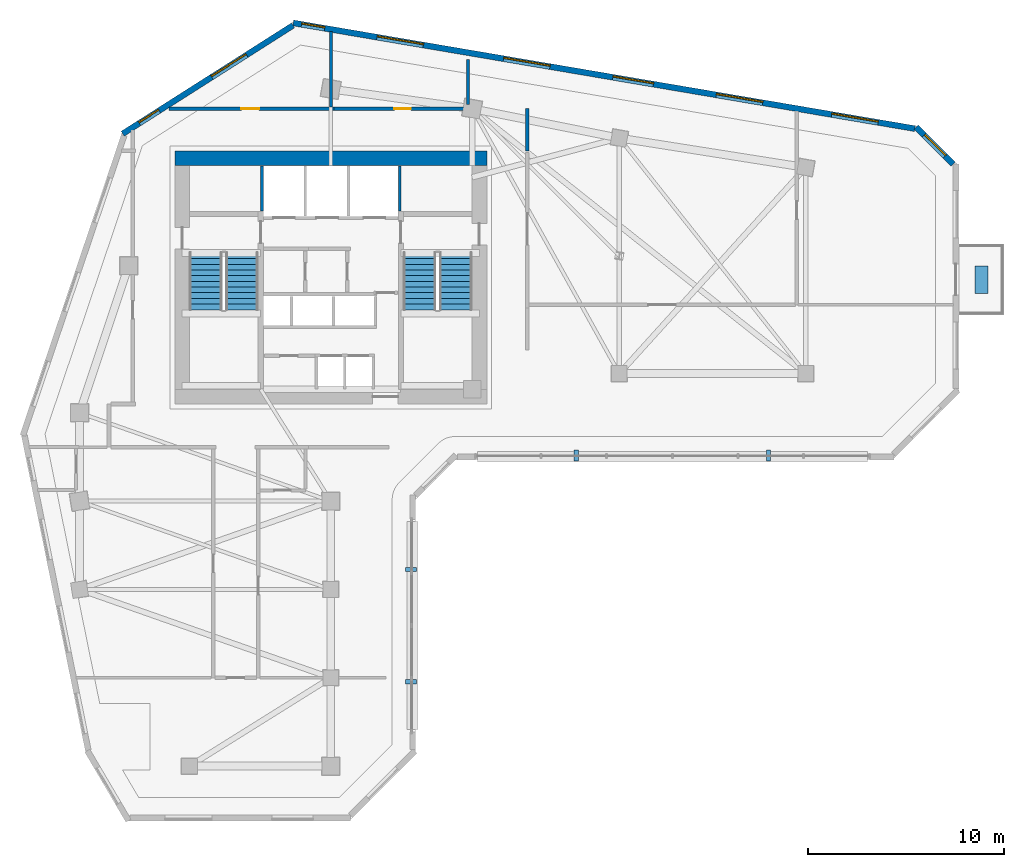
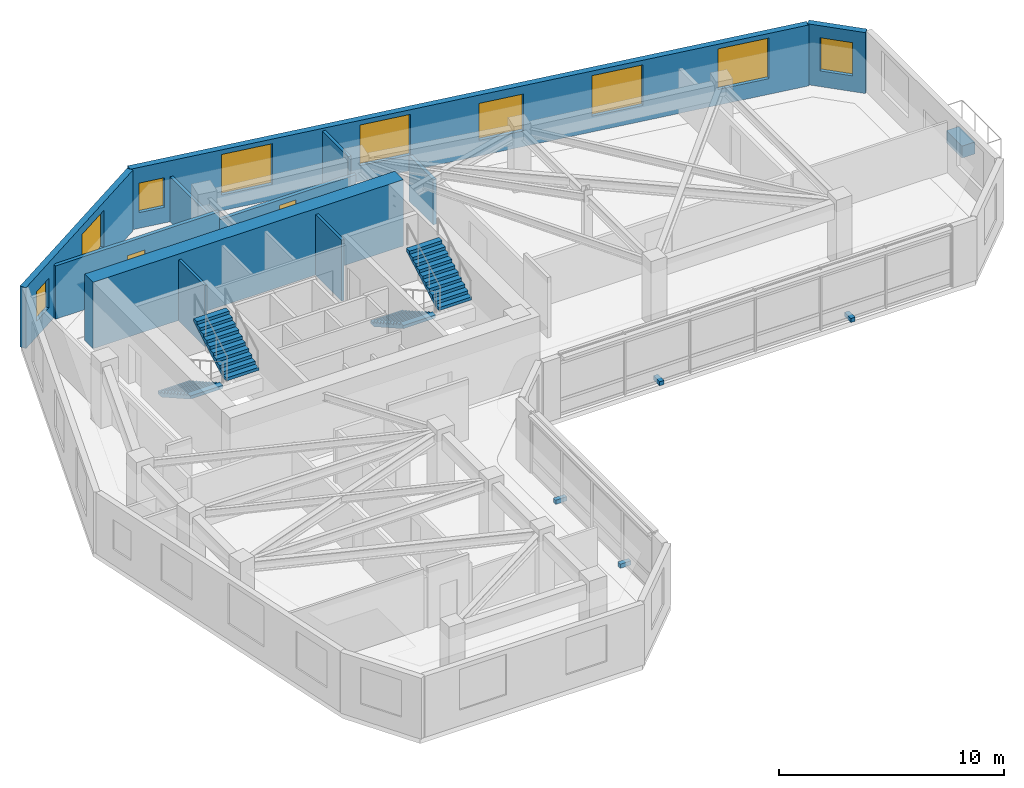
# One storey, part 7 of 10: 11 walls, 9 windows, 5 discrete accessories, 4 stair flights, 2 doors, 11 openings, 2 elements without a shape of their own.
"""IFC4 building model written with IfcOpenShell, lengths in metres."""

from ifc_helpers import new_model, si_unit, direction, frame, frame_2d, origin, origin_2d, place, context, subcontext, project, spatial, polyline, rectangle, outline, extrude, source, transform, mapped, material, layer, layer_set, type_object, element, fill, aggregate, save


model = new_model("IFC4")

# Units and contexts
model_context = context("Model", 3, precision=1e-05, world=origin(), true_north=direction((0.0, 1.0)))
body_context = subcontext(model_context, "Body", "Model", "MODEL_VIEW")
ifc_project = project(units=[si_unit("LENGTHUNIT", "METRE"), si_unit("AREAUNIT", "SQUARE_METRE"), si_unit("VOLUMEUNIT", "CUBIC_METRE"), si_unit("PLANEANGLEUNIT", "RADIAN"), si_unit("MASSUNIT", "GRAM", prefix="KILO")], contexts=[model_context])

# Site, building, storey
site_placement = place(None, origin())
site = spatial("IfcSite", under=ifc_project, at=site_placement, CompositionType="ELEMENT")
building_placement = place(site_placement, origin())
building = spatial("IfcBuilding", under=site, at=building_placement, Name="Calvemar Wedge Station Tower", CompositionType="ELEMENT")
storey_placement = place(building_placement, frame((0.0, 0.0, 168.199951171875)))
storey = spatial("IfcBuildingStorey", under=building, at=storey_placement, Name="L42", CompositionType="ELEMENT", Elevation=168.199951171875)

# Wall
ifc_material_1 = material(Name="Concrete C70", Category="concrete")
ifc_layer_1 = layer(ifc_material_1, 0.75)
ifc_layer_set_1 = layer_set([ifc_layer_1], Name="Concrete C70")
wall_type_1 = type_object("IfcWallType", Name="SW-CORE-750", PredefinedType="SHEAR", material=ifc_layer_set_1)
wall_1_placement = place(storey_placement, frame((15.85009765625, 45.97509765625, 0.0), z_axis=(0.0, 0.0, 1.0), x_axis=(1.0, 0.0, 0.0)))
element("IfcWall", 1, at=wall_1_placement, inside=storey, type_object=wall_type_1, Name="Storey L42 Core Shear Wall N", PredefinedType="SHEAR", context=body_context, shape_type="SweptSolid", body=[
    extrude(rectangle(XDim=15.89990234375, YDim=0.75, at=frame_2d((7.949951171875, 0.0))), origin(), (0.0, 0.0, 1.0), 3.60009765625),
])

# Wall, opening, door
ifc_material_2 = material(Name="Double-stud fire-rated corridor partition")
ifc_layer_2 = layer(ifc_material_2, 0.179931640625)
ifc_layer_set_2 = layer_set([ifc_layer_2], Name="Double-stud fire-rated corridor partition")
wall_type_2 = type_object("IfcWallType", Name="W-CORR-180", PredefinedType="PARTITIONING", material=ifc_layer_set_2)
wall_2_placement = place(storey_placement, frame((15.552490234375, 48.5, 0.0), z_axis=(0.0, 0.0, 1.0), x_axis=(1.0, 0.0, 0.0)))
wall_2 = element("IfcWall", 2, at=wall_2_placement, inside=storey, type_object=wall_type_2, Name="Storey L42 Interior Partition WL-L42-014", PredefinedType="PARTITIONING", context=body_context, shape_type="SweptSolid", body=[
    extrude(rectangle(XDim=8.407470703125, YDim=0.179931640625, at=frame_2d((4.20361328125, 0.0))), origin(), (0.0, 0.0, 1.0), 2.885009765625),
])
shared_shape_1 = source(origin(), body_context, "Body", "SweptSolid", [
    extrude(rectangle(XDim=0.89990234375, YDim=2.14990234375, at=frame_2d((0.449951171875, 1.074951171875))), frame((0.0, 0.10009765625, 0.0), z_axis=(0.0, -1.0, 0.0), x_axis=(1.0, 0.0, 0.0)), (0.0, 0.0, 1.0), 0.199951171875),
])
opening_1_placement = place(wall_2_placement, frame((3.69287109375, 0.0, 0.0)))
opening_1 = element("IfcOpeningElement", 3, at=opening_1_placement, cuts=wall_2, Name="Opening D-01", PredefinedType="OPENING", context=body_context, shape_type="MappedRepresentation", body=[
    mapped(shared_shape_1, transform((0.0, 0.0, 0.0), scale=1.0)),
])
ifc_material_3 = material(Name="Architectural hardwood acoustic swing door", Category="wood")
door_type_1 = type_object("IfcDoorType", Name="DR-INT-900", OperationType="NOTDEFINED", PredefinedType="DOOR", material=ifc_material_3)
shared_shape_2 = source(origin(), body_context, "Body", "SweptSolid", [
    extrude(rectangle(XDim=0.89990234375, YDim=2.14990234375, at=frame_2d((0.449951171875, 1.074951171875))), frame((0.0, 0.02490234375, 0.0), z_axis=(0.0, -1.0, 0.0), x_axis=(1.0, 0.0, 0.0)), (0.0, 0.0, 1.0), 0.050048828125),
])
door_1_placement = place(opening_1_placement, origin())
door_1 = element("IfcDoor", 4, at=door_1_placement, inside=storey, type_object=door_type_1, Name="L42 Business Centre Door", OperationType="SINGLE_SWING_RIGHT", OverallHeight=2.14990234375, OverallWidth=0.89990234375, PredefinedType="DOOR", context=body_context, shape_type="MappedRepresentation", body=[
    mapped(shared_shape_2, transform((0.0, 0.0, 0.0), scale=1.0)),
])
fill(opening_1, door_1)

wall_3_placement = place(storey_placement, frame((23.9619140625, 48.5, 0.0), z_axis=(0.0, 0.0, 1.0), x_axis=(1.0, 0.0, 0.0)))
wall_3 = element("IfcWall", 5, at=wall_3_placement, inside=storey, type_object=wall_type_2, Name="Storey L42 Interior Partition WL-L42-015", PredefinedType="PARTITIONING", context=body_context, shape_type="SweptSolid", body=[
    extrude(rectangle(XDim=6.998046875, YDim=0.179931640625, at=frame_2d((3.4990234375, 0.0))), origin(), (0.0, 0.0, 1.0), 2.442138671875),
])
shared_shape_3 = source(origin(), body_context, "Body", "SweptSolid", [
    extrude(rectangle(XDim=0.85009765625, YDim=2.14990234375, at=frame_2d((0.425048828125, 1.074951171875))), frame((0.0, 0.10009765625, 0.0), z_axis=(0.0, -1.0, 0.0), x_axis=(1.0, 0.0, 0.0)), (0.0, 0.0, 1.0), 0.199951171875),
])
opening_2_placement = place(wall_3_placement, frame((3.073974609375, 0.0, 0.0)))
opening_2 = element("IfcOpeningElement", 6, at=opening_2_placement, cuts=wall_3, Name="Opening D-02", PredefinedType="OPENING", context=body_context, shape_type="MappedRepresentation", body=[
    mapped(shared_shape_3, transform((0.0, 0.0, 0.0), scale=1.0)),
])
ifc_material_4 = material(Name="Moisture-sealed bathroom hardwood swing door", Category="wood")
door_type_2 = type_object("IfcDoorType", Name="DR-WET-850", OperationType="NOTDEFINED", PredefinedType="DOOR", material=ifc_material_4)
shared_shape_4 = source(origin(), body_context, "Body", "SweptSolid", [
    extrude(rectangle(XDim=0.85009765625, YDim=2.14990234375, at=frame_2d((0.425048828125, 1.074951171875))), frame((0.0, 0.02490234375, 0.0), z_axis=(0.0, -1.0, 0.0), x_axis=(1.0, 0.0, 0.0)), (0.0, 0.0, 1.0), 0.050048828125),
])
door_2_placement = place(opening_2_placement, origin())
door_2 = element("IfcDoor", 7, at=door_2_placement, inside=storey, type_object=door_type_2, Name="L42 Accessible WC Door", OperationType="SINGLE_SWING_LEFT", OverallHeight=2.14990234375, OverallWidth=0.85009765625, PredefinedType="DOOR", context=body_context, shape_type="MappedRepresentation", body=[
    mapped(shared_shape_4, transform((0.0, 0.0, 0.0), scale=1.0)),
])
fill(opening_2, door_2)

# Wall
wall_4_placement = place(storey_placement, frame((33.800048828125, 48.5, 0.0), z_axis=(0.0, 0.0, 1.0), x_axis=(0.0, -1.0, 0.0)))
element("IfcWall", 8, at=wall_4_placement, inside=storey, type_object=wall_type_2, Name="Storey L42 Interior Partition WL-L42-016", PredefinedType="PARTITIONING", context=body_context, shape_type="SweptSolid", body=[
    extrude(rectangle(XDim=2.14990234375, YDim=0.179931640625, at=frame_2d((1.074951171875, 0.0))), origin(), (0.0, 0.0, 1.0), 2.442138671875),
])

# Wall, opening, window
ifc_material_5 = material(Name="Precast concrete C45", Category="concrete")
ifc_layer_3 = layer(ifc_material_5, 0.300048828125)
ifc_layer_set_3 = layer_set([ifc_layer_3], Name="Precast concrete C45")
wall_type_3 = type_object("IfcWallType", Name="W-EXT-GFRC-300", PredefinedType="SOLIDWALL", material=ifc_layer_set_3)
wall_5_placement = place(storey_placement, frame((55.511962890625, 45.66796875, 0.0), z_axis=(0.0, 0.0, 1.0), x_axis=(-0.707152443695, 0.707061115729, 0.0)))
wall_5 = element("IfcWall", 9, at=wall_5_placement, inside=storey, type_object=wall_type_3, Name="Storey L42 Bronze GFRC Exterior Wall 9", PredefinedType="SOLIDWALL", context=body_context, shape_type="SweptSolid", body=[
    extrude(rectangle(XDim=2.67333984375, YDim=0.300048828125, at=frame_2d((1.336669921875, 0.0))), origin(), (0.0, 0.0, 1.0), 3.300048828125),
])
shared_shape_5 = source(origin(), body_context, "Body", "SweptSolid", [
    extrude(rectangle(XDim=1.5, YDim=1.800048828125, at=frame_2d((0.75, 0.89990234375))), frame((0.0, 0.16015625, 0.0), z_axis=(0.0, -1.0, 0.0), x_axis=(1.0, 0.0, 0.0)), (0.0, 0.0, 1.0), 0.320068359375),
])
opening_3_placement = place(wall_5_placement, frame((0.5869140625, 0.0, 0.85009765625)))
opening_3 = element("IfcOpeningElement", 10, at=opening_3_placement, cuts=wall_5, Name="Opening W3", PredefinedType="OPENING", context=body_context, shape_type="MappedRepresentation", body=[
    mapped(shared_shape_5, transform((0.0, 0.0, 0.0), scale=1.0)),
])
ifc_material_6 = material(Name="Low-E laminated insulated glass", Category="glass")
window_type_1 = type_object("IfcWindowType", Name="WIN-EXT-3", PartitioningType="SINGLE_PANEL", PredefinedType="WINDOW", material=ifc_material_6)
shared_shape_6 = source(origin(), body_context, "Body", "SweptSolid", [
    extrude(rectangle(XDim=1.5, YDim=1.800048828125, at=frame_2d((0.75, 0.89990234375))), frame((0.0, -0.014892578125, 0.0), z_axis=(0.0, -1.0, 0.0), x_axis=(1.0, 0.0, 0.0)), (0.0, 0.0, 1.0), 0.06005859375),
])
window_1_placement = place(opening_3_placement, origin())
window_1 = element("IfcWindow", 11, at=window_1_placement, inside=storey, type_object=window_type_1, Name="Storey L42 Recessed Window 9.1", OverallHeight=1.800048828125, OverallWidth=1.5, PartitioningType="SINGLE_PANEL", PredefinedType="WINDOW", context=body_context, shape_type="MappedRepresentation", body=[
    mapped(shared_shape_6, transform((0.0, 0.0, 0.0), scale=1.0)),
])
fill(opening_3, window_1)

# Wall, openings, windows
wall_6_placement = place(storey_placement, frame((53.56103515625, 47.48046875, 0.0), z_axis=(0.0, 0.0, 1.0), x_axis=(-0.985845173895, 0.167658262868, 0.0)))
wall_6 = element("IfcWall", 12, at=wall_6_placement, inside=storey, type_object=wall_type_3, Name="Storey L42 Bronze GFRC Exterior Wall 10", PredefinedType="SOLIDWALL", context=body_context, shape_type="SweptSolid", body=[
    extrude(rectangle(XDim=32.132080078125, YDim=0.300048828125, at=frame_2d((16.06591796875, 0.0))), origin(), (0.0, 0.0, 1.0), 3.300048828125),
])
shared_shape_7 = source(origin(), body_context, "Body", "SweptSolid", [
    extrude(rectangle(XDim=2.39990234375, YDim=2.199951171875, at=frame_2d((1.199951171875, 1.10009765625))), frame((0.0, 0.16015625, 0.0), z_axis=(0.0, -1.0, 0.0), x_axis=(1.0, 0.0, 0.0)), (0.0, 0.0, 1.0), 0.320068359375),
])
opening_4_placement = place(wall_6_placement, frame((1.89599609375, 0.0, 0.85009765625)))
opening_4 = element("IfcOpeningElement", 13, at=opening_4_placement, cuts=wall_6, Name="Opening W1", PredefinedType="OPENING", context=body_context, shape_type="MappedRepresentation", body=[
    mapped(shared_shape_7, transform((0.0, 0.0, 0.0), scale=1.0)),
])
opening_5_placement = place(wall_6_placement, frame((7.863037109375, 0.0, 0.85009765625)))
opening_5 = element("IfcOpeningElement", 14, at=opening_5_placement, cuts=wall_6, Name="Opening W1", PredefinedType="OPENING", context=body_context, shape_type="MappedRepresentation", body=[
    mapped(shared_shape_7, transform((0.0, 0.0, 0.0), scale=1.0)),
])
shared_shape_8 = source(origin(), body_context, "Body", "SweptSolid", [
    extrude(rectangle(XDim=2.10009765625, YDim=2.0, at=frame_2d((1.050048828125, 1.0))), frame((0.0, 0.16015625, 0.0), z_axis=(0.0, -1.0, 0.0), x_axis=(1.0, 0.0, 0.0)), (0.0, 0.0, 1.0), 0.320068359375),
])
opening_6_placement = place(wall_6_placement, frame((13.511962890625, 0.0, 0.85009765625)))
opening_6 = element("IfcOpeningElement", 15, at=opening_6_placement, cuts=wall_6, Name="Opening W4", PredefinedType="OPENING", context=body_context, shape_type="MappedRepresentation", body=[
    mapped(shared_shape_8, transform((0.0, 0.0, 0.0), scale=1.0)),
])
opening_7_placement = place(wall_6_placement, frame((18.861083984375, 0.0, 0.85009765625)))
opening_7 = element("IfcOpeningElement", 16, at=opening_7_placement, cuts=wall_6, Name="Opening W1", PredefinedType="OPENING", context=body_context, shape_type="MappedRepresentation", body=[
    mapped(shared_shape_7, transform((0.0, 0.0, 0.0), scale=1.0)),
])
opening_8_placement = place(wall_6_placement, frame((25.39990234375, 0.0, 0.85009765625)))
opening_8 = element("IfcOpeningElement", 17, at=opening_8_placement, cuts=wall_6, Name="Opening W1", PredefinedType="OPENING", context=body_context, shape_type="MappedRepresentation", body=[
    mapped(shared_shape_7, transform((0.0, 0.0, 0.0), scale=1.0)),
])
shared_shape_9 = source(origin(), body_context, "Body", "SweptSolid", [
    extrude(rectangle(XDim=1.199951171875, YDim=1.60009765625, at=frame_2d((0.60009765625, 0.800048828125))), frame((0.0, 0.16015625, 0.0), z_axis=(0.0, -1.0, 0.0), x_axis=(1.0, 0.0, 0.0)), (0.0, 0.0, 1.0), 0.320068359375),
])
opening_9_placement = place(wall_6_placement, frame((30.5, 0.0, 0.85009765625)))
opening_9 = element("IfcOpeningElement", 18, at=opening_9_placement, cuts=wall_6, Name="Opening W5", PredefinedType="OPENING", context=body_context, shape_type="MappedRepresentation", body=[
    mapped(shared_shape_9, transform((0.0, 0.0, 0.0), scale=1.0)),
])
window_type_2 = type_object("IfcWindowType", Name="WIN-EXT-4", PartitioningType="SINGLE_PANEL", PredefinedType="WINDOW", material=ifc_material_6)
shared_shape_10 = source(origin(), body_context, "Body", "SweptSolid", [
    extrude(rectangle(XDim=2.10009765625, YDim=2.0, at=frame_2d((1.050048828125, 1.0))), frame((0.0, -0.014892578125, 0.0), z_axis=(0.0, -1.0, 0.0), x_axis=(1.0, 0.0, 0.0)), (0.0, 0.0, 1.0), 0.06005859375),
])
window_2_placement = place(opening_6_placement, origin())
window_2 = element("IfcWindow", 19, at=window_2_placement, inside=storey, type_object=window_type_2, Name="Storey L42 Recessed Window 10.3", OverallHeight=2.0, OverallWidth=2.10009765625, PartitioningType="SINGLE_PANEL", PredefinedType="WINDOW", context=body_context, shape_type="MappedRepresentation", body=[
    mapped(shared_shape_10, transform((0.0, 0.0, 0.0), scale=1.0)),
])
fill(opening_6, window_2)
window_type_3 = type_object("IfcWindowType", Name="WIN-EXT-1", PartitioningType="SINGLE_PANEL", PredefinedType="WINDOW", material=ifc_material_6)
shared_shape_11 = source(origin(), body_context, "Body", "SweptSolid", [
    extrude(rectangle(XDim=2.39990234375, YDim=2.199951171875, at=frame_2d((1.199951171875, 1.10009765625))), frame((0.0, -0.014892578125, 0.0), z_axis=(0.0, -1.0, 0.0), x_axis=(1.0, 0.0, 0.0)), (0.0, 0.0, 1.0), 0.06005859375),
])
window_3_placement = place(opening_4_placement, origin())
window_3 = element("IfcWindow", 20, at=window_3_placement, inside=storey, type_object=window_type_3, Name="Storey L42 Recessed Window 10.1", OverallHeight=2.199951171875, OverallWidth=2.39990234375, PartitioningType="SINGLE_PANEL", PredefinedType="WINDOW", context=body_context, shape_type="MappedRepresentation", body=[
    mapped(shared_shape_11, transform((0.0, 0.0, 0.0), scale=1.0)),
])
fill(opening_4, window_3)
window_4_placement = place(opening_5_placement, origin())
window_4 = element("IfcWindow", 21, at=window_4_placement, inside=storey, type_object=window_type_3, Name="Storey L42 Recessed Window 10.2", OverallHeight=2.199951171875, OverallWidth=2.39990234375, PartitioningType="SINGLE_PANEL", PredefinedType="WINDOW", context=body_context, shape_type="MappedRepresentation", body=[
    mapped(shared_shape_11, transform((0.0, 0.0, 0.0), scale=1.0)),
])
fill(opening_5, window_4)
window_5_placement = place(opening_7_placement, origin())
window_5 = element("IfcWindow", 22, at=window_5_placement, inside=storey, type_object=window_type_3, Name="Storey L42 Recessed Window 10.4", OverallHeight=2.199951171875, OverallWidth=2.39990234375, PartitioningType="SINGLE_PANEL", PredefinedType="WINDOW", context=body_context, shape_type="MappedRepresentation", body=[
    mapped(shared_shape_11, transform((0.0, 0.0, 0.0), scale=1.0)),
])
fill(opening_7, window_5)
window_6_placement = place(opening_8_placement, origin())
window_6 = element("IfcWindow", 23, at=window_6_placement, inside=storey, type_object=window_type_3, Name="Storey L42 Recessed Window 10.5", OverallHeight=2.199951171875, OverallWidth=2.39990234375, PartitioningType="SINGLE_PANEL", PredefinedType="WINDOW", context=body_context, shape_type="MappedRepresentation", body=[
    mapped(shared_shape_11, transform((0.0, 0.0, 0.0), scale=1.0)),
])
fill(opening_8, window_6)
window_type_4 = type_object("IfcWindowType", Name="WIN-EXT-5", PartitioningType="SINGLE_PANEL", PredefinedType="WINDOW", material=ifc_material_6)
shared_shape_12 = source(origin(), body_context, "Body", "SweptSolid", [
    extrude(rectangle(XDim=1.199951171875, YDim=1.60009765625, at=frame_2d((0.60009765625, 0.800048828125))), frame((0.0, -0.014892578125, 0.0), z_axis=(0.0, -1.0, 0.0), x_axis=(1.0, 0.0, 0.0)), (0.0, 0.0, 1.0), 0.06005859375),
])
window_7_placement = place(opening_9_placement, origin())
window_7 = element("IfcWindow", 24, at=window_7_placement, inside=storey, type_object=window_type_4, Name="Storey L42 Recessed Window 10.6", OverallHeight=1.60009765625, OverallWidth=1.199951171875, PartitioningType="SINGLE_PANEL", PredefinedType="WINDOW", context=body_context, shape_type="MappedRepresentation", body=[
    mapped(shared_shape_12, transform((0.0, 0.0, 0.0), scale=1.0)),
])
fill(opening_9, window_7)

wall_7_placement = place(storey_placement, frame((21.874755859375, 52.742431640625, 0.0), z_axis=(0.0, 0.0, 1.0), x_axis=(-0.843662465249, -0.536873956092, 0.0)))
wall_7 = element("IfcWall", 25, at=wall_7_placement, inside=storey, type_object=wall_type_3, Name="Storey L42 Bronze GFRC Exterior Wall 11", PredefinedType="SOLIDWALL", context=body_context, shape_type="SweptSolid", body=[
    extrude(rectangle(XDim=10.283935546875, YDim=0.300048828125, at=frame_2d((5.14208984375, 0.0))), origin(), (0.0, 0.0, 1.0), 3.300048828125),
])
opening_10_placement = place(wall_7_placement, frame((2.805908203125, 0.0, 0.85009765625)))
opening_10 = element("IfcOpeningElement", 26, at=opening_10_placement, cuts=wall_7, Name="Opening W4", PredefinedType="OPENING", context=body_context, shape_type="MappedRepresentation", body=[
    mapped(shared_shape_8, transform((0.0, 0.0, 0.0), scale=1.0)),
])
opening_11_placement = place(wall_7_placement, frame((8.0869140625, 0.0, 0.85009765625)))
opening_11 = element("IfcOpeningElement", 27, at=opening_11_placement, cuts=wall_7, Name="Opening W5", PredefinedType="OPENING", context=body_context, shape_type="MappedRepresentation", body=[
    mapped(shared_shape_9, transform((0.0, 0.0, 0.0), scale=1.0)),
])
window_8_placement = place(opening_10_placement, origin())
window_8 = element("IfcWindow", 28, at=window_8_placement, inside=storey, type_object=window_type_2, Name="Storey L42 Recessed Window 11.1", OverallHeight=2.0, OverallWidth=2.10009765625, PartitioningType="SINGLE_PANEL", PredefinedType="WINDOW", context=body_context, shape_type="MappedRepresentation", body=[
    mapped(shared_shape_10, transform((0.0, 0.0, 0.0), scale=1.0)),
])
fill(opening_10, window_8)
window_9_placement = place(opening_11_placement, origin())
window_9 = element("IfcWindow", 29, at=window_9_placement, inside=storey, type_object=window_type_4, Name="Storey L42 Recessed Window 11.2", OverallHeight=1.60009765625, OverallWidth=1.199951171875, PartitioningType="SINGLE_PANEL", PredefinedType="WINDOW", context=body_context, shape_type="MappedRepresentation", body=[
    mapped(shared_shape_12, transform((0.0, 0.0, 0.0), scale=1.0)),
])
fill(opening_11, window_9)

# Walls
ifc_material_7 = material(Name="Reinforced concrete blockwork lift shaft wall", Category="masonry")
ifc_layer_4 = layer(ifc_material_7, 0.139892578125)
ifc_layer_set_4 = layer_set([ifc_layer_4], Name="Reinforced concrete blockwork lift shaft wall")
wall_type_4 = type_object("IfcWallType", Name="W-LIFT-160", PredefinedType="SOLIDWALL", material=ifc_layer_set_4)
for number, where, z_axis, x_axis, name in (
    (30, (20.2900390625, 43.280029296875, 0.0), (0.0, 0.0, 1.0), (0.0, 1.0, 0.0), "Storey L42 Firefighting Lift Shaft Enclosure Wall W"),
    (31, (27.31005859375, 43.280029296875, 0.0), (0.0, 0.0, 1.0), (0.0, 1.0, 0.0), "Storey L42 Firefighting Lift Shaft Enclosure Wall E"),
):
    element("IfcWall", number, at=place(storey_placement, frame(where, z_axis=z_axis, x_axis=x_axis)), inside=storey, type_object=wall_type_4, Name=name, PredefinedType="SOLIDWALL", context=body_context, shape_type="SweptSolid", body=[
        extrude(rectangle(XDim=2.300048828125, YDim=0.139892578125, at=frame_2d((1.14990234375, 0.0))), origin(), (0.0, 0.0, 1.0), 3.300048828125),
    ])
ifc_material_8 = material(Name="Moisture-resistant acoustic bathroom partition")
ifc_layer_5 = layer(ifc_material_8, 0.14990234375)
ifc_layer_set_5 = layer_set([ifc_layer_5], Name="Moisture-resistant acoustic bathroom partition")
wall_type_5 = type_object("IfcWallType", Name="W-WET-150", PredefinedType="PARTITIONING", material=ifc_layer_set_5)
wall_8_placement = place(storey_placement, frame((23.800048828125, 52.425048828125, 0.0), z_axis=(0.0, 0.0, 1.0), x_axis=(0.0, -1.0, 0.0)))
element("IfcWall", 32, at=wall_8_placement, inside=storey, type_object=wall_type_5, Name="Storey L42 Interior Partition WL-L42-021", PredefinedType="PARTITIONING", context=body_context, shape_type="SweptSolid", body=[
    extrude(rectangle(XDim=3.8310546875, YDim=0.14990234375, at=frame_2d((1.91552734375, 0.0))), origin(), (0.0, 0.0, 1.0), 2.442138671875),
])
wall_9_placement = place(storey_placement, frame((30.800048828125, 51.011474609375, 0.0), z_axis=(0.0, 0.0, 1.0), x_axis=(0.0, -1.0, 0.0)))
element("IfcWall", 33, at=wall_9_placement, inside=storey, type_object=wall_type_5, Name="Storey L42 Bathroom Enclosure Wall WL-L42-035", PredefinedType="PARTITIONING", context=body_context, shape_type="SweptSolid", body=[
    extrude(rectangle(XDim=2.29150390625, YDim=0.14990234375, at=frame_2d((1.145751953125, 0.0))), origin(), (0.0, 0.0, 1.0), 3.300048828125),
])

# Stair, stair flights
ifc_material_9 = material(Name="Concrete C45", Category="concrete")
stair_type = type_object("IfcStairType", Name="ST-TYPE-3600", PredefinedType="HALF_TURN_STAIR", material=ifc_material_9)
stair_1_placement = place(storey_placement, origin())
stair_1 = element("IfcStair", 34, at=stair_1_placement, inside=storey, type_object=stair_type, Name="L42 Pressurized Core Exit Stair ST-C1", PredefinedType="HALF_TURN_STAIR")
stair_flight_type = type_object("IfcStairFlightType", Name="STF-TYPE-3600", PredefinedType="STRAIGHT", material=ifc_material_9)
stair_flight_1_placement = place(storey_placement, frame((17.429931640625, 41.14990234375, 0.0), z_axis=(0.0, 0.0, 1.0), x_axis=(0.0, -1.0, 0.0)))
stair_flight_1 = element("IfcStairFlight", 35, at=stair_flight_1_placement, type_object=stair_flight_type, Name="ST-C1 flight 1", NumberOfRisers=11, NumberOfTreads=10, PredefinedType="STRAIGHT", RiserHeight=0.163636364, TreadLength=0.29, context=body_context, shape_type="SweptSolid", body=[
    extrude(outline(polyline([(0.0, 0.0), (0.0, 0.16357421875), (0.2900390625, 0.16357421875), (0.2900390625, 0.327392578125), (0.580078125, 0.327392578125), (0.580078125, 0.490966796875), (0.8701171875, 0.490966796875), (0.8701171875, 0.654541015625), (1.159912109375, 0.654541015625), (1.159912109375, 0.818115234375), (1.449951171875, 0.818115234375), (1.449951171875, 0.98193359375), (1.739990234375, 0.98193359375), (1.739990234375, 1.1455078125), (2.030029296875, 1.1455078125), (2.030029296875, 1.30908203125), (2.320068359375, 1.30908203125), (2.320068359375, 1.47265625), (2.610107421875, 1.47265625), (2.610107421875, 1.636474609375), (2.89990234375, 1.636474609375), (2.89990234375, 1.800048828125), (2.89990234375, 1.46435546875), (0.304931640625, 0.0), (0.0, 0.0)])), frame((0.0, 0.830078125, 0.0), z_axis=(0.0, -1.0, 0.0), x_axis=(1.0, 0.0, 0.0)), (0.0, 0.0, 1.0), 1.659912109375),
])
stair_flight_2_placement = place(storey_placement, frame((19.27001953125, 38.25, 1.800048828125), z_axis=(0.0, 0.0, 1.0), x_axis=(0.0, 1.0, 0.0)))
stair_flight_2 = element("IfcStairFlight", 36, at=stair_flight_2_placement, type_object=stair_flight_type, Name="ST-C1 flight 2", NumberOfRisers=11, NumberOfTreads=10, PredefinedType="STRAIGHT", RiserHeight=0.163636364, TreadLength=0.29, context=body_context, shape_type="SweptSolid", body=[
    extrude(outline(polyline([(0.0, 0.0), (0.0, 0.16357421875), (0.2900390625, 0.16357421875), (0.2900390625, 0.327392578125), (0.580078125, 0.327392578125), (0.580078125, 0.490966796875), (0.8701171875, 0.490966796875), (0.8701171875, 0.654541015625), (1.159912109375, 0.654541015625), (1.159912109375, 0.818115234375), (1.449951171875, 0.818115234375), (1.449951171875, 0.98193359375), (1.739990234375, 0.98193359375), (1.739990234375, 1.1455078125), (2.030029296875, 1.1455078125), (2.030029296875, 1.30908203125), (2.320068359375, 1.30908203125), (2.320068359375, 1.47265625), (2.610107421875, 1.47265625), (2.610107421875, 1.636474609375), (2.89990234375, 1.636474609375), (2.89990234375, 1.800048828125), (2.89990234375, 1.46435546875), (0.304931640625, 0.0), (0.0, 0.0)])), frame((0.0, 0.830078125, 0.0), z_axis=(0.0, -1.0, 0.0), x_axis=(1.0, 0.0, 0.0)), (0.0, 0.0, 1.0), 1.659912109375),
])
aggregate(stair_1, [stair_flight_1, stair_flight_2])

stair_2_placement = place(storey_placement, origin())
stair_2 = element("IfcStair", 37, at=stair_2_placement, inside=storey, type_object=stair_type, Name="L42 Pressurized Core Exit Stair ST-C2", PredefinedType="HALF_TURN_STAIR")
stair_flight_3_placement = place(storey_placement, frame((28.330078125, 41.14990234375, 0.0), z_axis=(0.0, 0.0, 1.0), x_axis=(0.0, -1.0, 0.0)))
stair_flight_3 = element("IfcStairFlight", 38, at=stair_flight_3_placement, type_object=stair_flight_type, Name="ST-C2 flight 1", NumberOfRisers=11, NumberOfTreads=10, PredefinedType="STRAIGHT", RiserHeight=0.163636364, TreadLength=0.29, context=body_context, shape_type="SweptSolid", body=[
    extrude(outline(polyline([(0.0, 0.0), (0.0, 0.16357421875), (0.2900390625, 0.16357421875), (0.2900390625, 0.327392578125), (0.580078125, 0.327392578125), (0.580078125, 0.490966796875), (0.8701171875, 0.490966796875), (0.8701171875, 0.654541015625), (1.159912109375, 0.654541015625), (1.159912109375, 0.818115234375), (1.449951171875, 0.818115234375), (1.449951171875, 0.98193359375), (1.739990234375, 0.98193359375), (1.739990234375, 1.1455078125), (2.030029296875, 1.1455078125), (2.030029296875, 1.30908203125), (2.320068359375, 1.30908203125), (2.320068359375, 1.47265625), (2.610107421875, 1.47265625), (2.610107421875, 1.636474609375), (2.89990234375, 1.636474609375), (2.89990234375, 1.800048828125), (2.89990234375, 1.46435546875), (0.304931640625, 0.0), (0.0, 0.0)])), frame((0.0, 0.830078125, 0.0), z_axis=(0.0, -1.0, 0.0), x_axis=(1.0, 0.0, 0.0)), (0.0, 0.0, 1.0), 1.659912109375),
])
stair_flight_4_placement = place(storey_placement, frame((30.169921875, 38.25, 1.800048828125), z_axis=(0.0, 0.0, 1.0), x_axis=(0.0, 1.0, 0.0)))
stair_flight_4 = element("IfcStairFlight", 39, at=stair_flight_4_placement, type_object=stair_flight_type, Name="ST-C2 flight 2", NumberOfRisers=11, NumberOfTreads=10, PredefinedType="STRAIGHT", RiserHeight=0.163636364, TreadLength=0.29, context=body_context, shape_type="SweptSolid", body=[
    extrude(outline(polyline([(0.0, 0.0), (0.0, 0.16357421875), (0.2900390625, 0.16357421875), (0.2900390625, 0.327392578125), (0.580078125, 0.327392578125), (0.580078125, 0.490966796875), (0.8701171875, 0.490966796875), (0.8701171875, 0.654541015625), (1.159912109375, 0.654541015625), (1.159912109375, 0.818115234375), (1.449951171875, 0.818115234375), (1.449951171875, 0.98193359375), (1.739990234375, 0.98193359375), (1.739990234375, 1.1455078125), (2.030029296875, 1.1455078125), (2.030029296875, 1.30908203125), (2.320068359375, 1.30908203125), (2.320068359375, 1.47265625), (2.610107421875, 1.47265625), (2.610107421875, 1.636474609375), (2.89990234375, 1.636474609375), (2.89990234375, 1.800048828125), (2.89990234375, 1.46435546875), (0.304931640625, 0.0), (0.0, 0.0)])), frame((0.0, 0.830078125, 0.0), z_axis=(0.0, -1.0, 0.0), x_axis=(1.0, 0.0, 0.0)), (0.0, 0.0, 1.0), 1.659912109375),
])
aggregate(stair_2, [stair_flight_3, stair_flight_4])

# Discrete accessories
ifc_material_10 = material(Name="Stainless steel AISI 316L", Category="steel")
discrete_accessory_type_1 = type_object("IfcDiscreteAccessoryType", Name="BRK-316L", PredefinedType="BRACKET", material=ifc_material_10)
shared_shape_13 = source(origin(), body_context, "Body", "SweptSolid", [
    extrude(rectangle(XDim=0.219970703125, YDim=0.56005859375, at=origin_2d()), origin(), (0.0, 0.0, 1.0), 0.219970703125),
])
for number, where, z_axis, x_axis, name in (
    (40, (27.89794921875, 19.2998046875, 0.0), (0.0, 0.0, 1.0), (0.0, 1.0, 0.0), "Storey L42 Recessed Facade Stainless Bracket 4.1"),
    (41, (27.89794921875, 25.016357421875, 0.0), (0.0, 0.0, 1.0), (0.0, 1.0, 0.0), "Storey L42 Recessed Facade Stainless Bracket 4.2"),
    (42, (36.302001953125, 30.822021484375, 0.0), (0.0, 0.0, 1.0), (1.0, 0.0, 0.0), "Storey L42 Recessed Facade Stainless Bracket 6.1"),
    (43, (46.101806640625, 30.822021484375, 0.0), (0.0, 0.0, 1.0), (1.0, 0.0, 0.0), "Storey L42 Recessed Facade Stainless Bracket 6.2"),
):
    element("IfcDiscreteAccessory", number, at=place(storey_placement, frame(where, z_axis=z_axis, x_axis=x_axis)), inside=storey, type_object=discrete_accessory_type_1, Name=name, PredefinedType="BRACKET", context=body_context, shape_type="MappedRepresentation", body=[
        mapped(shared_shape_13, transform((0.0, 0.0, 0.0), scale=1.0)),
    ])
discrete_accessory_type_2 = type_object("IfcDiscreteAccessoryType", Name="ACC-PLANTER", PredefinedType="USERDEFINED", material=ifc_material_5)
shared_shape_14 = source(origin(), body_context, "Body", "SweptSolid", [
    extrude(rectangle(XDim=0.64990234375, YDim=1.39990234375, at=origin_2d()), origin(), (0.0, 0.0, 1.0), 0.64990234375),
])
discrete_accessory_placement = place(storey_placement, frame((56.949951171875, 39.7919921875, 0.0), z_axis=(0.0, 0.0, 1.0), x_axis=(1.0, 0.0, 0.0)))
element("IfcDiscreteAccessory", 44, at=discrete_accessory_placement, inside=storey, type_object=discrete_accessory_type_2, Name="Storey L42 Planted Terrace GFRC Planter", ObjectType="PLANTER", PredefinedType="USERDEFINED", context=body_context, shape_type="MappedRepresentation", body=[
    mapped(shared_shape_14, transform((0.0, 0.0, 0.0), scale=1.0)),
])

save(model, "model.ifc")
